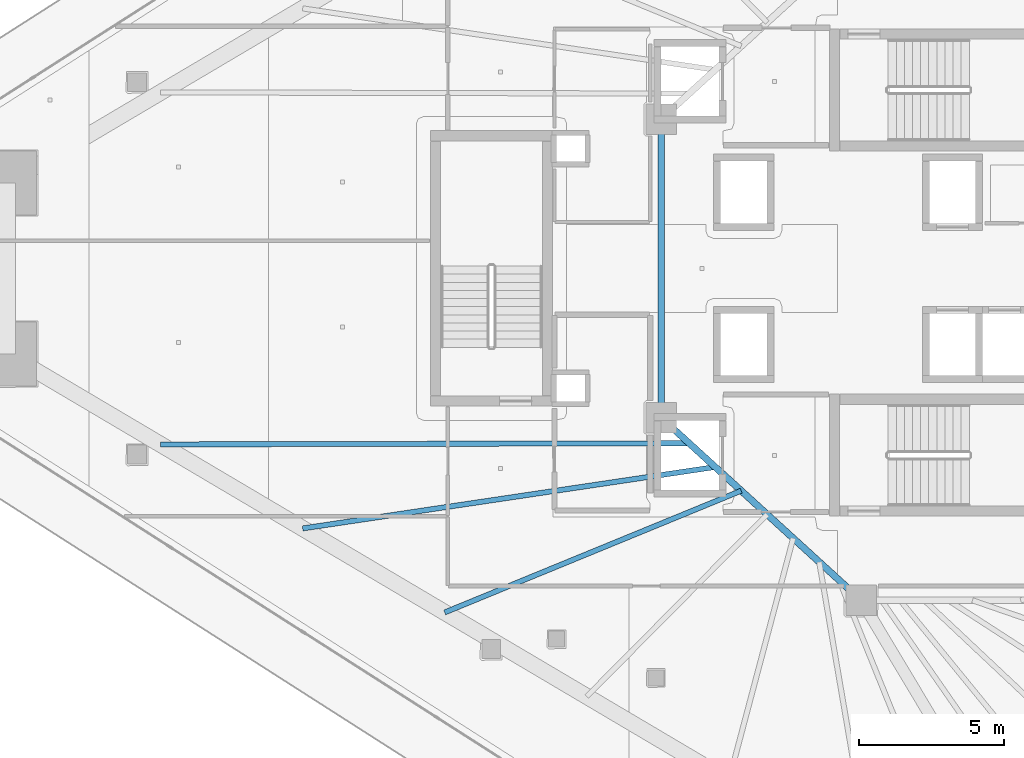
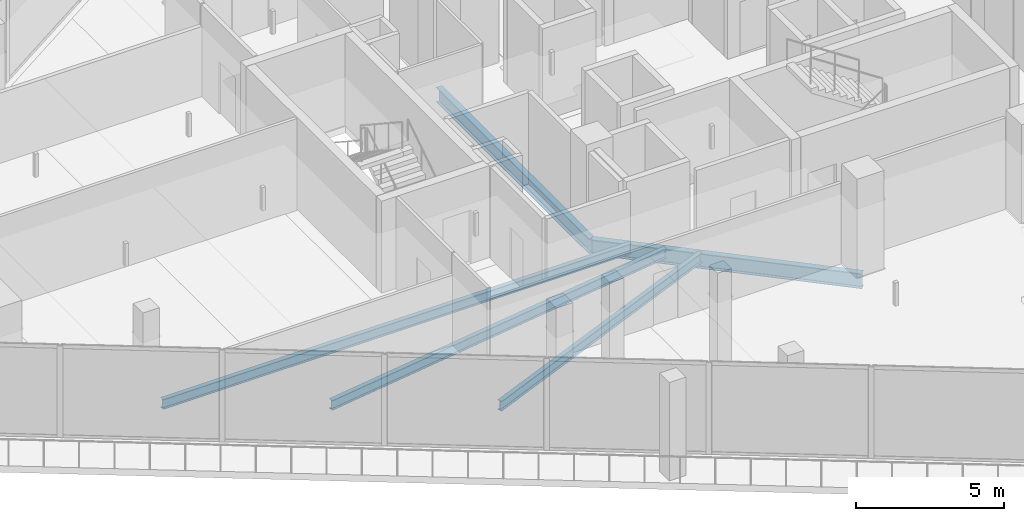
# One storey, part 6 of 39: 5 beams.
"""IFC4 building model written with IfcOpenShell, lengths in metres."""

from ifc_helpers import new_model, si_unit, direction, frame, origin, origin_2d, place, context, subcontext, project, spatial, i_section, extrude, material, material_profile, profile_set, type_object, element, save


model = new_model("IFC4")

# Units and contexts
model_context = context("Model", 3, precision=1e-05, world=origin(), true_north=direction((0.0, 1.0)))
body_context = subcontext(model_context, "Body", "Model", "MODEL_VIEW")
ifc_project = project(units=[si_unit("LENGTHUNIT", "METRE"), si_unit("AREAUNIT", "SQUARE_METRE"), si_unit("VOLUMEUNIT", "CUBIC_METRE"), si_unit("PLANEANGLEUNIT", "RADIAN"), si_unit("MASSUNIT", "GRAM", prefix="KILO")], contexts=[model_context])

# Site, building, storey
site_placement = place(None, origin())
site = spatial("IfcSite", under=ifc_project, at=site_placement, CompositionType="ELEMENT")
building_placement = place(site_placement, origin())
building = spatial("IfcBuilding", under=site, at=building_placement, Name="Qorvath Tower", CompositionType="ELEMENT")
storey_placement = place(building_placement, frame((0.0, 0.0, 154.35009765625)))
storey = spatial("IfcBuildingStorey", under=building, at=storey_placement, Name="L35", CompositionType="ELEMENT", Elevation=154.35009765625)

# Beams
ifc_material_1 = material(Name="Steel ASTM A992 Grade 50", Category="steel")
ifc_material_profile_1 = material_profile(ifc_material_1, i_section(OverallWidth=0.22998046875, OverallDepth=0.616943359375, WebThickness=0.01318359375, FlangeThickness=0.022216796875, FilletRadius=0.014892578125, at=origin_2d()), Name="W24x94")
ifc_profile_set_1 = profile_set([ifc_material_profile_1], Name="Steel ASTM A992 Grade 50")
beam_type_1 = type_object("IfcBeamType", Name="BM-FG6", PredefinedType="BEAM", material=ifc_profile_set_1)
beam_1_placement = place(storey_placement, frame((-23.60009765625, -11.449951171875, -0.57861328125), z_axis=(-0.73847813985, 0.6742774184, 0.0), x_axis=(-0.6742774184, -0.73847813985, 0.0)))
element("IfcBeam", 1, at=beam_1_placement, inside=storey, type_object=beam_type_1, Name="Core Ring Girder CC4-CC6 L35", PredefinedType="BEAM", context=body_context, shape_type="SweptSolid", body=[
    extrude(i_section(OverallWidth=0.22998046875, OverallDepth=0.616943359375, WebThickness=0.01318359375, FlangeThickness=0.022216796875, FilletRadius=0.014892578125, at=origin_2d()), origin(), (0.0, 0.0, 1.0), 9.343505859375),
])
beam_2_placement = place(storey_placement, frame((-30.5, -5.14990234375, -0.57861328125), z_axis=(0.0, 1.0, 0.0), x_axis=(-1.0, 0.0, 0.0)))
element("IfcBeam", 2, at=beam_2_placement, inside=storey, type_object=beam_type_1, Name="Core Ring Girder CC6-CC5 L35", PredefinedType="BEAM", context=body_context, shape_type="SweptSolid", body=[
    extrude(i_section(OverallWidth=0.22998046875, OverallDepth=0.616943359375, WebThickness=0.01318359375, FlangeThickness=0.022216796875, FilletRadius=0.014892578125, at=origin_2d()), origin(), (0.0, 0.0, 1.0), 10.2998046875),
])
ifc_material_2 = material(Name="Steel ASTM A992 Grade 50", Category="steel")
ifc_material_profile_2 = material_profile(ifc_material_2, i_section(OverallWidth=0.177978515625, OverallDepth=0.406005859375, WebThickness=0.0078125, FlangeThickness=0.0126953125, FilletRadius=0.010986328125, at=origin_2d()), Name="W16x40")
ifc_profile_set_2 = profile_set([ifc_material_profile_2], Name="Steel ASTM A992 Grade 50")
beam_type_2 = type_object("IfcBeamType", Name="BM-FJ3", PredefinedType="JOIST", material=ifc_profile_set_2)
beam_3_placement = place(storey_placement, frame((-29.533935546875, -6.031982421875, -0.472900390625), z_axis=(-0.999997589883, -0.002195501951, 0.0), x_axis=(0.002195501951, -0.999997589883, 0.0)))
element("IfcBeam", 3, at=beam_3_placement, inside=storey, type_object=beam_type_2, Name="Composite Floor Joist SW1 L35", PredefinedType="JOIST", context=body_context, shape_type="SweptSolid", body=[
    extrude(i_section(OverallWidth=0.177978515625, OverallDepth=0.406005859375, WebThickness=0.0078125, FlangeThickness=0.0126953125, FilletRadius=0.010986328125, at=origin_2d()), origin(), (0.0, 0.0, 1.0), 18.23681640625),
])
beam_4_placement = place(storey_placement, frame((-28.636962890625, -6.85107421875, -0.472900390625), z_axis=(-0.989092860328, -0.147293291256, 0.0), x_axis=(0.147293291256, -0.989092860328, 0.0)))
element("IfcBeam", 4, at=beam_4_placement, inside=storey, type_object=beam_type_2, Name="Composite Floor Joist SW2 L35", PredefinedType="JOIST", context=body_context, shape_type="SweptSolid", body=[
    extrude(i_section(OverallWidth=0.177978515625, OverallDepth=0.406005859375, WebThickness=0.0078125, FlangeThickness=0.0126953125, FilletRadius=0.010986328125, at=origin_2d()), origin(), (0.0, 0.0, 1.0), 14.388916015625),
])
beam_5_placement = place(storey_placement, frame((-27.739990234375, -7.669921875, -0.472900390625), z_axis=(-0.925068176006, -0.379801092338, 0.0), x_axis=(0.379801092338, -0.925068176006, 0.0)))
element("IfcBeam", 5, at=beam_5_placement, inside=storey, type_object=beam_type_2, Name="Composite Floor Joist SW3 L35", PredefinedType="JOIST", context=body_context, shape_type="SweptSolid", body=[
    extrude(i_section(OverallWidth=0.177978515625, OverallDepth=0.406005859375, WebThickness=0.0078125, FlangeThickness=0.0126953125, FilletRadius=0.010986328125, at=origin_2d()), origin(), (0.0, 0.0, 1.0), 11.0556640625),
])

save(model, "model.ifc")
